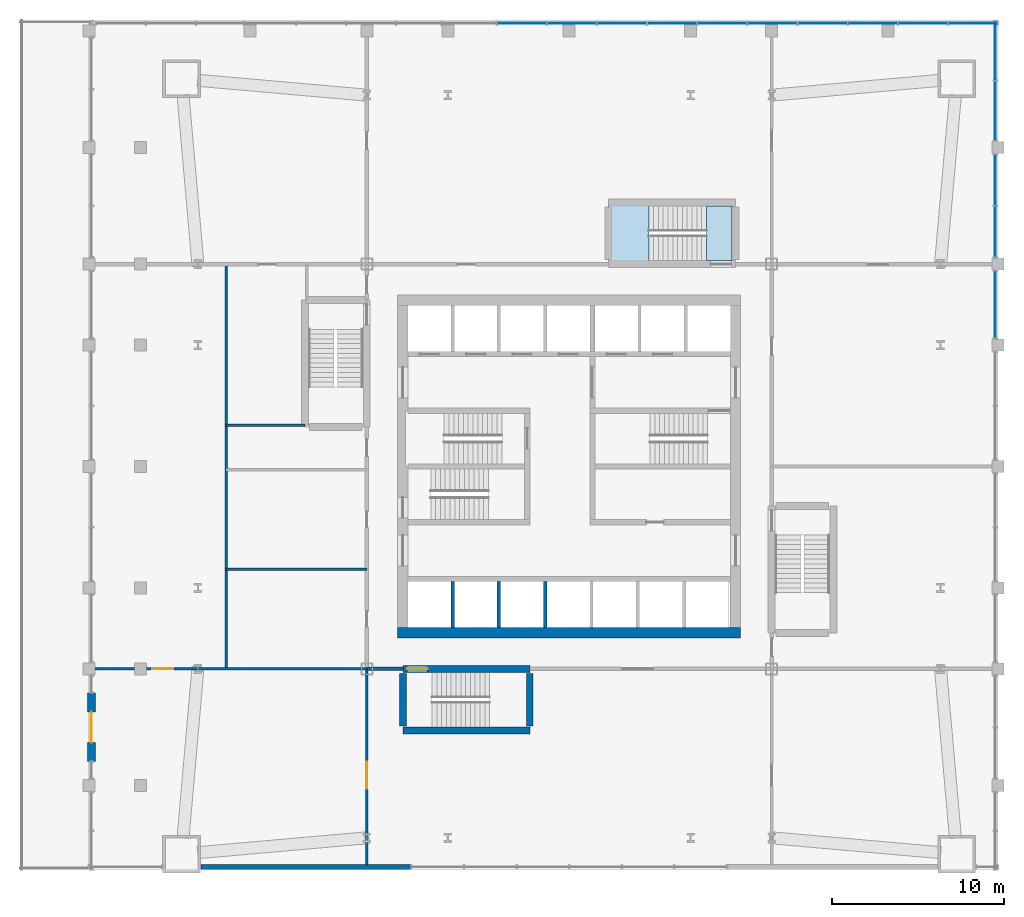
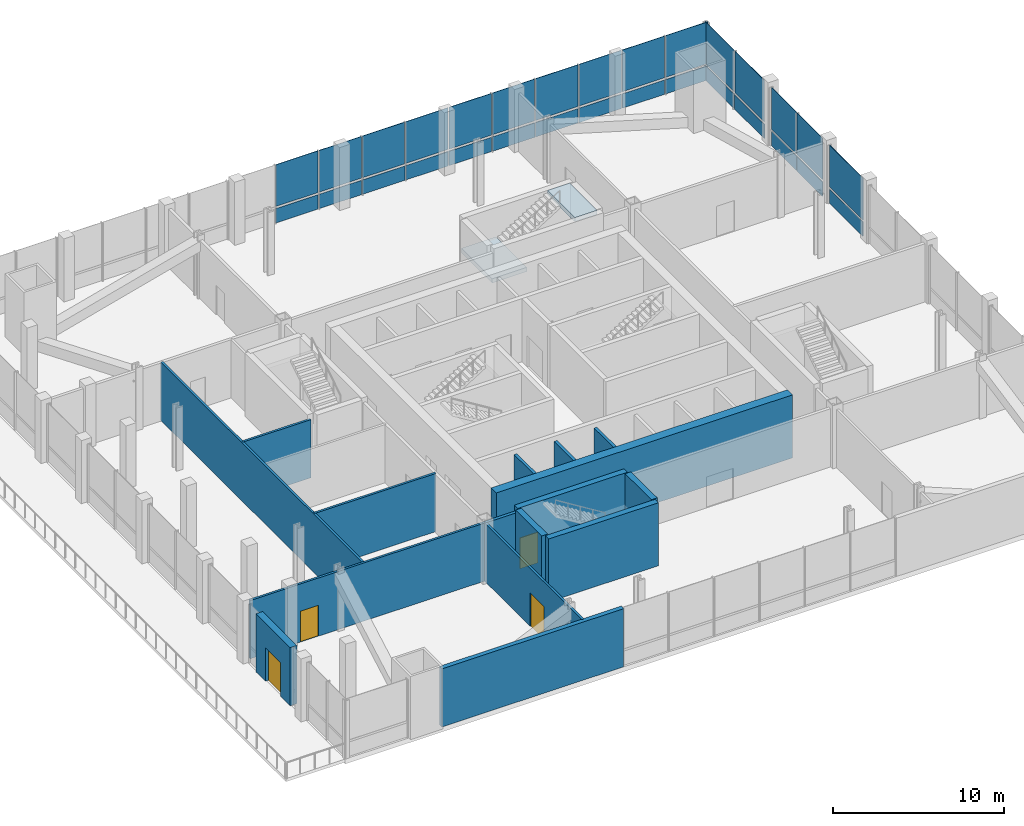
# One storey, part 11 of 15: 30 plates, 16 walls, 4 doors, 2 slabs, 4 openings, 5 elements without a shape of their own.
"""IFC4 building model written with IfcOpenShell, lengths in metres."""

import ifcopenshell
import ifcopenshell.guid

model = None  # the IFC model being written
_history = None  # IfcOwnerHistory: only IFC2X3 demands one
_inside = {}  # id of a spatial element -> (the spatial element, [elements in it])
_under = {}  # id of a project, library or spatial element -> (it, [spatial elements below it])
_declared = {}  # id of a project -> (the project, [libraries it declares])
_typed = {}  # id of a type object -> (the type object, [elements of that type])
_made_of = {}  # id of a material, layer set ... -> (it, [elements and type objects made of it])


def new_model(schema):
    """Start an empty IFC model of exactly this schema.

    Asked for "IFC4X3", IfcOpenShell would pick the latest addendum, in which some entities
    have other attributes; the version numbers below select the first issue.
    IFC2X3 requires an IfcOwnerHistory on every rooted entity: one is made here for all.
    """
    global model, _history
    if schema == "IFC4X3":
        model = ifcopenshell.file(schema_version=(4, 3, 0, 0))
    else:
        model = ifcopenshell.file(schema=schema)
    _inside.clear()
    _under.clear()
    _declared.clear()
    _typed.clear()
    _made_of.clear()
    _history = None
    if model.schema == "IFC2X3":
        org = make("IfcOrganization", Name="unknown")
        user = make(
            "IfcPersonAndOrganization",
            ThePerson=make("IfcPerson", FamilyName="unknown"),
            TheOrganization=org,
        )
        app = make(
            "IfcApplication",
            ApplicationDeveloper=org,
            Version="unknown",
            ApplicationFullName="unknown",
            ApplicationIdentifier="unknown",
        )
        _history = make(
            "IfcOwnerHistory",
            OwningUser=user,
            OwningApplication=app,
            ChangeAction="ADDED",
            CreationDate=0,
        )
    return model


def make(cls, **values):
    """One entity of the class cls with the attributes given. An attribute that is None is left unset."""
    return model.create_entity(
        cls, **{name: value for name, value in values.items() if value is not None}
    )


def rooted(cls, **values):
    """An entity with a GlobalId (a new one), such as an element, a storey or a relation."""
    return make(cls, GlobalId=ifcopenshell.guid.new(), OwnerHistory=_history, **values)


def si_unit(unit_type, name, prefix=None):
    """IfcSIUnit, for example si_unit("LENGTHUNIT", "METRE", prefix="MILLI")."""
    return make("IfcSIUnit", UnitType=unit_type, Prefix=prefix, Name=name)


def assignment(units):
    """IfcUnitAssignment: the units of a project."""
    return None if units is None else make("IfcUnitAssignment", Units=units)


def point(xyz):
    """IfcCartesianPoint."""
    return None if xyz is None else make("IfcCartesianPoint", Coordinates=xyz)


def direction(xyz):
    """IfcDirection."""
    return None if xyz is None else make("IfcDirection", DirectionRatios=xyz)


def frame(location, z_axis=None, x_axis=None):
    """IfcAxis2Placement3D, a coordinate frame: its origin and axes. An axis left out is left unset."""
    return make(
        "IfcAxis2Placement3D",
        Location=point(location),
        Axis=direction(z_axis),
        RefDirection=direction(x_axis),
    )


def frame_2d(location, x_axis=None):
    """IfcAxis2Placement2D, a coordinate frame in the plane: its origin and x axis."""
    return make(
        "IfcAxis2Placement2D", Location=point(location), RefDirection=direction(x_axis)
    )


def origin():
    """The frame at (0, 0, 0) with its axes left unset."""
    return frame((0.0, 0.0, 0.0))


def origin_2d():
    """The frame at (0, 0) in the plane with its x axis left unset."""
    return frame_2d((0.0, 0.0))


def place(relative_to, where):
    """IfcLocalPlacement: puts the frame where relative to a parent placement (None: the world)."""
    return make(
        "IfcLocalPlacement", PlacementRelTo=relative_to, RelativePlacement=where
    )


def context(
    kind, dimensions, precision=None, world=None, true_north=None, identifier=None
):
    """IfcGeometricRepresentationContext, for example the 3D "Model" context."""
    return make(
        "IfcGeometricRepresentationContext",
        ContextIdentifier=identifier,
        ContextType=kind,
        CoordinateSpaceDimension=dimensions,
        Precision=precision,
        WorldCoordinateSystem=world,
        TrueNorth=true_north,
    )


def subcontext(parent, identifier, kind, view, scale=None):
    """IfcGeometricRepresentationSubContext, for example "Body" below "Model"."""
    return make(
        "IfcGeometricRepresentationSubContext",
        ContextIdentifier=identifier,
        ContextType=kind,
        ParentContext=parent,
        TargetScale=scale,
        TargetView=view,
    )


def project(units=None, contexts=None):
    """IfcProject with its units and contexts."""
    return rooted(
        "IfcProject",
        Name="project",
        RepresentationContexts=contexts,
        UnitsInContext=assignment(units),
    )


def spatial(cls, under=None, at=None, **own):
    """A site, building, storey or space (cls), placed at a placement, below another one or the project."""
    s = rooted(cls, ObjectPlacement=at, **own)
    if under is not None:
        _under.setdefault(under.id(), (under, []))[1].append(s)
    return s


def polyline(points):
    """IfcPolyline through the points."""
    return make("IfcPolyline", Points=[point(p) for p in points])


def profile(cls, at=None, kind="AREA", **sizes):
    """A parametric profile (cls). Its sizes go by their IFC names, for example OverallWidth=200.0."""
    return make(cls, ProfileType=kind, Position=at, **sizes)


def rectangle(**sizes):
    """IfcRectangleProfileDef."""
    return profile("IfcRectangleProfileDef", **sizes)


def outline(outer, holes=None, kind="AREA"):
    """IfcArbitraryClosedProfileDef: a profile drawn as a closed curve; with holes, ...WithVoids."""
    if holes is None:
        return make("IfcArbitraryClosedProfileDef", ProfileType=kind, OuterCurve=outer)
    return make(
        "IfcArbitraryProfileDefWithVoids",
        ProfileType=kind,
        OuterCurve=outer,
        InnerCurves=holes,
    )


def extrude(swept, where, along, depth):
    """IfcExtrudedAreaSolid: the profile swept, set in the frame where, extruded along a direction by depth."""
    return make(
        "IfcExtrudedAreaSolid",
        SweptArea=swept,
        Position=where,
        ExtrudedDirection=direction(along),
        Depth=depth,
    )


def shape(context_of_items, identifier, shape_type, items):
    """IfcShapeRepresentation: the items that make up one representation, for example the "Body"."""
    return make(
        "IfcShapeRepresentation",
        ContextOfItems=context_of_items,
        RepresentationIdentifier=identifier,
        RepresentationType=shape_type,
        Items=items,
    )


def material(Name=None, Category=None):
    """IfcMaterial."""
    return make("IfcMaterial", Name=Name, Category=Category)


def layer(
    of_material, thickness, ventilated=None, Name=None, Category=None, Priority=None
):
    """IfcMaterialLayer: one layer of a wall or slab, of a material (None: an air gap)."""
    return make(
        "IfcMaterialLayer",
        Material=of_material,
        LayerThickness=thickness,
        IsVentilated=ventilated,
        Name=Name,
        Category=Category,
        Priority=Priority,
    )


def layer_set(layers, Name=None):
    """IfcMaterialLayerSet."""
    return make("IfcMaterialLayerSet", MaterialLayers=layers, LayerSetName=Name)


def made_of(thing, what):
    """Note that an element or type object is made of a material, layer set ...; save() writes the relation."""
    if what is not None:
        _made_of.setdefault(what.id(), (what, []))[1].append(thing)
    return thing


def type_object(cls, material=None, **own):
    """A type object (cls), such as IfcWallType, which elements share."""
    return made_of(rooted(cls, **own), material)


def element(
    cls,
    number,
    at=None,
    inside=None,
    cuts=None,
    type_object=None,
    material=None,
    context=None,
    identifier="Body",
    shape_type=None,
    held_by="IfcProductDefinitionShape",
    body=None,
    shapes=None,
    **own,
):
    """One element of the class cls, such as IfcWall. Its Tag is "e" and its number.

    at: its placement. inside: the storey or other place that contains it. cuts: it is an
    opening in that element (IfcRelVoidsElement). A single representation is given by context,
    identifier, shape_type and body (its items); several are given by shapes. held_by: the class
    of the entity that holds the representations. save() writes the other relations.
    """
    e = rooted(cls, Tag="e%d" % number, ObjectPlacement=at, **own)
    if body is not None:
        shapes = [shape(context, identifier, shape_type, body)]
    if shapes is not None:
        e.Representation = make(held_by, Representations=shapes)
    if inside is not None:
        _inside.setdefault(inside.id(), (inside, []))[1].append(e)
    if cuts is not None:
        rooted(
            "IfcRelVoidsElement", RelatingBuildingElement=cuts, RelatedOpeningElement=e
        )
    if type_object is not None:
        _typed.setdefault(type_object.id(), (type_object, []))[1].append(e)
    return made_of(e, material)


def fill(opening, filler):
    """IfcRelFillsElement: the door or window that sits in an opening."""
    return rooted(
        "IfcRelFillsElement",
        RelatingOpeningElement=opening,
        RelatedBuildingElement=filler,
    )


def aggregate(whole, parts):
    """IfcRelAggregates: a whole, such as a stair, and the parts it consists of."""
    return rooted("IfcRelAggregates", RelatingObject=whole, RelatedObjects=parts)


def save(model, path):
    """Write the relations noted so far, then the file.

    IfcRelAggregates (storeys below a building ...), IfcRelContainedInSpatialStructure (elements
    in a storey), IfcRelDefinesByType, IfcRelAssociatesMaterial and IfcRelDeclares: one each for
    every whole, place, type object, material and project.
    """
    for whole, parts in _under.values():
        aggregate(whole, parts)
    for where, things in _inside.values():
        rooted(
            "IfcRelContainedInSpatialStructure",
            RelatedElements=things,
            RelatingStructure=where,
        )
    for kind, things in _typed.values():
        rooted("IfcRelDefinesByType", RelatedObjects=things, RelatingType=kind)
    for what, things in _made_of.values():
        rooted("IfcRelAssociatesMaterial", RelatedObjects=things, RelatingMaterial=what)
    for by, libraries in _declared.values():
        rooted("IfcRelDeclares", RelatingContext=by, RelatedDefinitions=libraries)
    model.write(path)


model = new_model("IFC4")

# Units and contexts
model_context = context("Model", 3, precision=1e-05, world=origin(), true_north=direction((0.0, 1.0)))
body_context = subcontext(model_context, "Body", "Model", "MODEL_VIEW")
ifc_project = project(units=[si_unit("LENGTHUNIT", "METRE"), si_unit("AREAUNIT", "SQUARE_METRE"), si_unit("VOLUMEUNIT", "CUBIC_METRE"), si_unit("PLANEANGLEUNIT", "RADIAN"), si_unit("MASSUNIT", "GRAM", prefix="KILO")], contexts=[model_context])

# Site, building, storey
site_placement = place(None, origin())
site = spatial("IfcSite", under=ifc_project, at=site_placement, CompositionType="ELEMENT")
building_placement = place(site_placement, origin())
building = spatial("IfcBuilding", under=site, at=building_placement, Name="Turquesa Mirador Hotel Tower", CompositionType="ELEMENT")
storey_placement = place(building_placement, frame((0.0, 0.0, 16.0)))
storey = spatial("IfcBuildingStorey", under=building, at=storey_placement, Name="L03", CompositionType="ELEMENT", Elevation=16.0)

# Curtain wall, plate
ifc_material_1 = material(Name="Aluminium extrusion", Category="aluminium")
curtain_wall_type = type_object("IfcCurtainWallType", Name="CW-3 PODIUM UPPER CURTAIN WALL", PredefinedType="USERDEFINED", material=ifc_material_1)
curtain_wall_1_placement = place(storey_placement, origin())
curtain_wall_1 = element("IfcCurtainWall", 1, at=curtain_wall_1_placement, inside=storey, type_object=curtain_wall_type, Name="CW-3 PODIUM UPPER CURTAIN WALL L03", ObjectType="CURTAIN WALL", PredefinedType="USERDEFINED")
ifc_material_2 = material(Name="Ceramic-printed spandrel glass on an insulated back pan", Category="glass")
ifc_layer_1 = layer(ifc_material_2, 0.050048828125)
ifc_layer_set_1 = layer_set([ifc_layer_1], Name="CW PANEL SPANDREL CERAMIC")
plate_type_1 = type_object("IfcPlateType", Name="CW PANEL SPANDREL CERAMIC", PredefinedType="CURTAIN_PANEL", material=ifc_layer_set_1)
plate_1_placement = place(storey_placement, frame((79.85009765625, 54.43994140625, 0.0), z_axis=(0.0, 0.0, 1.0), x_axis=(0.0, 1.0, 0.0)))
plate_1 = element("IfcPlate", 2, at=plate_1_placement, type_object=plate_type_1, Name="Panel", PredefinedType="CURTAIN_PANEL", context=body_context, shape_type="SweptSolid", body=[
    extrude(rectangle(XDim=3.885986328125, YDim=0.050048828125, at=origin_2d()), origin(), (0.0, 0.0, 1.0), 1.02490234375),
])

# Curtain wall, plates
curtain_wall_2_placement = place(storey_placement, origin())
curtain_wall_2 = element("IfcCurtainWall", 3, at=curtain_wall_2_placement, inside=storey, type_object=curtain_wall_type, Name="CW-3 PODIUM UPPER CURTAIN WALL L03", ObjectType="CURTAIN WALL", PredefinedType="USERDEFINED")
plate_2_placement = place(storey_placement, frame((79.85009765625, 58.692138671875, 0.0), z_axis=(0.0, 0.0, 1.0), x_axis=(0.0, 1.0, 0.0)))
plate_2 = element("IfcPlate", 4, at=plate_2_placement, type_object=plate_type_1, Name="Panel", PredefinedType="CURTAIN_PANEL", context=body_context, shape_type="SweptSolid", body=[
    extrude(rectangle(XDim=2.950439453125, YDim=0.050048828125, at=origin_2d()), origin(), (0.0, 0.0, 1.0), 1.02490234375),
])
plate_3_placement = place(storey_placement, frame((79.85009765625, 61.707763671875, 0.0), z_axis=(0.0, 0.0, 1.0), x_axis=(0.0, 1.0, 0.0)))
plate_3 = element("IfcPlate", 5, at=plate_3_placement, type_object=plate_type_1, Name="Panel", PredefinedType="CURTAIN_PANEL", context=body_context, shape_type="SweptSolid", body=[
    extrude(rectangle(XDim=2.950439453125, YDim=0.050048828125, at=origin_2d()), origin(), (0.0, 0.0, 1.0), 1.02490234375),
])

curtain_wall_3_placement = place(storey_placement, origin())
curtain_wall_3 = element("IfcCurtainWall", 6, at=curtain_wall_3_placement, inside=storey, type_object=curtain_wall_type, Name="CW-3 PODIUM UPPER CURTAIN WALL L03", ObjectType="CURTAIN WALL", PredefinedType="USERDEFINED")
plate_4_placement = place(storey_placement, frame((79.85009765625, 65.73828125, 0.0), z_axis=(0.0, 0.0, 1.0), x_axis=(0.0, 1.0, 0.0)))
plate_4 = element("IfcPlate", 7, at=plate_4_placement, type_object=plate_type_1, Name="Panel", PredefinedType="CURTAIN_PANEL", context=body_context, shape_type="SweptSolid", body=[
    extrude(rectangle(XDim=3.44287109375, YDim=0.050048828125, at=origin_2d()), origin(), (0.0, 0.0, 1.0), 1.02490234375),
])
plate_5_placement = place(storey_placement, frame((79.85009765625, 69.24609375, 0.0), z_axis=(0.0, 0.0, 1.0), x_axis=(0.0, 1.0, 0.0)))
plate_5 = element("IfcPlate", 8, at=plate_5_placement, type_object=plate_type_1, Name="Panel", PredefinedType="CURTAIN_PANEL", context=body_context, shape_type="SweptSolid", body=[
    extrude(rectangle(XDim=3.44287109375, YDim=0.050048828125, at=origin_2d()), origin(), (0.0, 0.0, 1.0), 1.02490234375),
])

curtain_wall_4_placement = place(storey_placement, origin())
curtain_wall_4 = element("IfcCurtainWall", 9, at=curtain_wall_4_placement, inside=storey, type_object=curtain_wall_type, Name="CW-3 PODIUM UPPER CURTAIN WALL L03", ObjectType="CURTAIN WALL", PredefinedType="USERDEFINED")
plate_6_placement = place(storey_placement, frame((78.53857421875, 70.85009765625, 0.0), z_axis=(0.0, 0.0, 1.0), x_axis=(-1.0, 0.0, 0.0)))
plate_6 = element("IfcPlate", 10, at=plate_6_placement, type_object=plate_type_1, Name="Panel", PredefinedType="CURTAIN_PANEL", context=body_context, shape_type="SweptSolid", body=[
    extrude(rectangle(XDim=2.858154296875, YDim=0.050048828125, at=origin_2d()), origin(), (0.0, 0.0, 1.0), 1.02490234375),
])
plate_7_placement = place(storey_placement, frame((75.615478515625, 70.85009765625, 0.0), z_axis=(0.0, 0.0, 1.0), x_axis=(-1.0, 0.0, 0.0)))
plate_7 = element("IfcPlate", 11, at=plate_7_placement, type_object=plate_type_1, Name="Panel", PredefinedType="CURTAIN_PANEL", context=body_context, shape_type="SweptSolid", body=[
    extrude(rectangle(XDim=2.858154296875, YDim=0.050048828125, at=origin_2d()), origin(), (0.0, 0.0, 1.0), 1.02490234375),
])
plate_8_placement = place(storey_placement, frame((72.6923828125, 70.85009765625, 0.0), z_axis=(0.0, 0.0, 1.0), x_axis=(-1.0, 0.0, 0.0)))
plate_8 = element("IfcPlate", 12, at=plate_8_placement, type_object=plate_type_1, Name="Panel", PredefinedType="CURTAIN_PANEL", context=body_context, shape_type="SweptSolid", body=[
    extrude(rectangle(XDim=2.858154296875, YDim=0.050048828125, at=origin_2d()), origin(), (0.0, 0.0, 1.0), 1.02490234375),
])
plate_9_placement = place(storey_placement, frame((69.769287109375, 70.85009765625, 0.0), z_axis=(0.0, 0.0, 1.0), x_axis=(-1.0, 0.0, 0.0)))
plate_9 = element("IfcPlate", 13, at=plate_9_placement, type_object=plate_type_1, Name="Panel", PredefinedType="CURTAIN_PANEL", context=body_context, shape_type="SweptSolid", body=[
    extrude(rectangle(XDim=2.858154296875, YDim=0.050048828125, at=origin_2d()), origin(), (0.0, 0.0, 1.0), 1.02490234375),
])
plate_10_placement = place(storey_placement, frame((66.84619140625, 70.85009765625, 0.0), z_axis=(0.0, 0.0, 1.0), x_axis=(-1.0, 0.0, 0.0)))
plate_10 = element("IfcPlate", 14, at=plate_10_placement, type_object=plate_type_1, Name="Panel", PredefinedType="CURTAIN_PANEL", context=body_context, shape_type="SweptSolid", body=[
    extrude(rectangle(XDim=2.858154296875, YDim=0.050048828125, at=origin_2d()), origin(), (0.0, 0.0, 1.0), 1.02490234375),
])
plate_11_placement = place(storey_placement, frame((63.924560546875, 70.85009765625, 0.0), z_axis=(0.0, 0.0, 1.0), x_axis=(-1.0, 0.0, 0.0)))
plate_11 = element("IfcPlate", 15, at=plate_11_placement, type_object=plate_type_1, Name="Panel", PredefinedType="CURTAIN_PANEL", context=body_context, shape_type="SweptSolid", body=[
    extrude(rectangle(XDim=2.85498046875, YDim=0.050048828125, at=origin_2d()), origin(), (0.0, 0.0, 1.0), 1.02490234375),
])
plate_12_placement = place(storey_placement, frame((61.00146484375, 70.85009765625, 0.0), z_axis=(0.0, 0.0, 1.0), x_axis=(-1.0, 0.0, 0.0)))
plate_12 = element("IfcPlate", 16, at=plate_12_placement, type_object=plate_type_1, Name="Panel", PredefinedType="CURTAIN_PANEL", context=body_context, shape_type="SweptSolid", body=[
    extrude(rectangle(XDim=2.861083984375, YDim=0.050048828125, at=origin_2d()), origin(), (0.0, 0.0, 1.0), 1.02490234375),
])
plate_13_placement = place(storey_placement, frame((58.076904296875, 70.85009765625, 0.0), z_axis=(0.0, 0.0, 1.0), x_axis=(-1.0, 0.0, 0.0)))
plate_13 = element("IfcPlate", 17, at=plate_13_placement, type_object=plate_type_1, Name="Panel", PredefinedType="CURTAIN_PANEL", context=body_context, shape_type="SweptSolid", body=[
    extrude(rectangle(XDim=2.858154296875, YDim=0.050048828125, at=origin_2d()), origin(), (0.0, 0.0, 1.0), 1.02490234375),
])
plate_14_placement = place(storey_placement, frame((55.15380859375, 70.85009765625, 0.0), z_axis=(0.0, 0.0, 1.0), x_axis=(-1.0, 0.0, 0.0)))
plate_14 = element("IfcPlate", 18, at=plate_14_placement, type_object=plate_type_1, Name="Panel", PredefinedType="CURTAIN_PANEL", context=body_context, shape_type="SweptSolid", body=[
    extrude(rectangle(XDim=2.858154296875, YDim=0.050048828125, at=origin_2d()), origin(), (0.0, 0.0, 1.0), 1.02490234375),
])
plate_15_placement = place(storey_placement, frame((52.230712890625, 70.85009765625, 0.0), z_axis=(0.0, 0.0, 1.0), x_axis=(-1.0, 0.0, 0.0)))
plate_15 = element("IfcPlate", 19, at=plate_15_placement, type_object=plate_type_1, Name="Panel", PredefinedType="CURTAIN_PANEL", context=body_context, shape_type="SweptSolid", body=[
    extrude(rectangle(XDim=2.858154296875, YDim=0.050048828125, at=origin_2d()), origin(), (0.0, 0.0, 1.0), 1.02490234375),
])

# Plate
ifc_material_3 = material(Name="Ceramic-fritted laminated glass", Category="glass")
ifc_layer_2 = layer(ifc_material_3, 0.031982421875)
ifc_layer_set_2 = layer_set([ifc_layer_2], Name="CW PANEL VISION FRITTED")
plate_type_2 = type_object("IfcPlateType", Name="CW PANEL VISION FRITTED", PredefinedType="CURTAIN_PANEL", material=ifc_layer_set_2)
plate_16_placement = place(storey_placement, frame((79.85009765625, 54.43994140625, 1.175048828125), z_axis=(0.0, 0.0, 1.0), x_axis=(0.0, 1.0, 0.0)))
plate_16 = element("IfcPlate", 20, at=plate_16_placement, type_object=plate_type_2, Name="Panel", PredefinedType="CURTAIN_PANEL", context=body_context, shape_type="SweptSolid", body=[
    extrude(rectangle(XDim=3.885986328125, YDim=0.031982421875, at=origin_2d()), origin(), (0.0, 0.0, 1.0), 2.97509765625),
])

aggregate(curtain_wall_1, [plate_1, plate_16])

plate_17_placement = place(storey_placement, frame((79.85009765625, 58.692138671875, 1.175048828125), z_axis=(0.0, 0.0, 1.0), x_axis=(0.0, 1.0, 0.0)))
plate_17 = element("IfcPlate", 21, at=plate_17_placement, type_object=plate_type_2, Name="Panel", PredefinedType="CURTAIN_PANEL", context=body_context, shape_type="SweptSolid", body=[
    extrude(rectangle(XDim=2.950439453125, YDim=0.031982421875, at=origin_2d()), origin(), (0.0, 0.0, 1.0), 2.97509765625),
])

plate_18_placement = place(storey_placement, frame((79.85009765625, 61.707763671875, 1.175048828125), z_axis=(0.0, 0.0, 1.0), x_axis=(0.0, 1.0, 0.0)))
plate_18 = element("IfcPlate", 22, at=plate_18_placement, type_object=plate_type_2, Name="Panel", PredefinedType="CURTAIN_PANEL", context=body_context, shape_type="SweptSolid", body=[
    extrude(rectangle(XDim=2.950439453125, YDim=0.031982421875, at=origin_2d()), origin(), (0.0, 0.0, 1.0), 2.97509765625),
])

aggregate(curtain_wall_2, [plate_2, plate_17, plate_3, plate_18])

plate_19_placement = place(storey_placement, frame((79.85009765625, 65.73828125, 1.175048828125), z_axis=(0.0, 0.0, 1.0), x_axis=(0.0, 1.0, 0.0)))
plate_19 = element("IfcPlate", 23, at=plate_19_placement, type_object=plate_type_2, Name="Panel", PredefinedType="CURTAIN_PANEL", context=body_context, shape_type="SweptSolid", body=[
    extrude(rectangle(XDim=3.44287109375, YDim=0.031982421875, at=origin_2d()), origin(), (0.0, 0.0, 1.0), 2.97509765625),
])

plate_20_placement = place(storey_placement, frame((79.85009765625, 69.24609375, 1.175048828125), z_axis=(0.0, 0.0, 1.0), x_axis=(0.0, 1.0, 0.0)))
plate_20 = element("IfcPlate", 24, at=plate_20_placement, type_object=plate_type_2, Name="Panel", PredefinedType="CURTAIN_PANEL", context=body_context, shape_type="SweptSolid", body=[
    extrude(rectangle(XDim=3.44287109375, YDim=0.031982421875, at=origin_2d()), origin(), (0.0, 0.0, 1.0), 2.97509765625),
])

aggregate(curtain_wall_3, [plate_4, plate_19, plate_5, plate_20])

plate_21_placement = place(storey_placement, frame((78.53857421875, 70.85009765625, 1.175048828125), z_axis=(0.0, 0.0, 1.0), x_axis=(-1.0, 0.0, 0.0)))
plate_21 = element("IfcPlate", 25, at=plate_21_placement, type_object=plate_type_2, Name="Panel", PredefinedType="CURTAIN_PANEL", context=body_context, shape_type="SweptSolid", body=[
    extrude(rectangle(XDim=2.858154296875, YDim=0.031982421875, at=origin_2d()), origin(), (0.0, 0.0, 1.0), 2.97509765625),
])

plate_22_placement = place(storey_placement, frame((75.615478515625, 70.85009765625, 1.175048828125), z_axis=(0.0, 0.0, 1.0), x_axis=(-1.0, 0.0, 0.0)))
plate_22 = element("IfcPlate", 26, at=plate_22_placement, type_object=plate_type_2, Name="Panel", PredefinedType="CURTAIN_PANEL", context=body_context, shape_type="SweptSolid", body=[
    extrude(rectangle(XDim=2.858154296875, YDim=0.031982421875, at=origin_2d()), origin(), (0.0, 0.0, 1.0), 2.97509765625),
])

plate_23_placement = place(storey_placement, frame((72.6923828125, 70.85009765625, 1.175048828125), z_axis=(0.0, 0.0, 1.0), x_axis=(-1.0, 0.0, 0.0)))
plate_23 = element("IfcPlate", 27, at=plate_23_placement, type_object=plate_type_2, Name="Panel", PredefinedType="CURTAIN_PANEL", context=body_context, shape_type="SweptSolid", body=[
    extrude(rectangle(XDim=2.858154296875, YDim=0.031982421875, at=origin_2d()), origin(), (0.0, 0.0, 1.0), 2.97509765625),
])

plate_24_placement = place(storey_placement, frame((69.769287109375, 70.85009765625, 1.175048828125), z_axis=(0.0, 0.0, 1.0), x_axis=(-1.0, 0.0, 0.0)))
plate_24 = element("IfcPlate", 28, at=plate_24_placement, type_object=plate_type_2, Name="Panel", PredefinedType="CURTAIN_PANEL", context=body_context, shape_type="SweptSolid", body=[
    extrude(rectangle(XDim=2.858154296875, YDim=0.031982421875, at=origin_2d()), origin(), (0.0, 0.0, 1.0), 2.97509765625),
])

plate_25_placement = place(storey_placement, frame((66.84619140625, 70.85009765625, 1.175048828125), z_axis=(0.0, 0.0, 1.0), x_axis=(-1.0, 0.0, 0.0)))
plate_25 = element("IfcPlate", 29, at=plate_25_placement, type_object=plate_type_2, Name="Panel", PredefinedType="CURTAIN_PANEL", context=body_context, shape_type="SweptSolid", body=[
    extrude(rectangle(XDim=2.858154296875, YDim=0.031982421875, at=origin_2d()), origin(), (0.0, 0.0, 1.0), 2.97509765625),
])

plate_26_placement = place(storey_placement, frame((63.924560546875, 70.85009765625, 1.175048828125), z_axis=(0.0, 0.0, 1.0), x_axis=(-1.0, 0.0, 0.0)))
plate_26 = element("IfcPlate", 30, at=plate_26_placement, type_object=plate_type_2, Name="Panel", PredefinedType="CURTAIN_PANEL", context=body_context, shape_type="SweptSolid", body=[
    extrude(rectangle(XDim=2.85498046875, YDim=0.031982421875, at=origin_2d()), origin(), (0.0, 0.0, 1.0), 2.97509765625),
])

plate_27_placement = place(storey_placement, frame((61.00146484375, 70.85009765625, 1.175048828125), z_axis=(0.0, 0.0, 1.0), x_axis=(-1.0, 0.0, 0.0)))
plate_27 = element("IfcPlate", 31, at=plate_27_placement, type_object=plate_type_2, Name="Panel", PredefinedType="CURTAIN_PANEL", context=body_context, shape_type="SweptSolid", body=[
    extrude(rectangle(XDim=2.861083984375, YDim=0.031982421875, at=origin_2d()), origin(), (0.0, 0.0, 1.0), 2.97509765625),
])

plate_28_placement = place(storey_placement, frame((58.076904296875, 70.85009765625, 1.175048828125), z_axis=(0.0, 0.0, 1.0), x_axis=(-1.0, 0.0, 0.0)))
plate_28 = element("IfcPlate", 32, at=plate_28_placement, type_object=plate_type_2, Name="Panel", PredefinedType="CURTAIN_PANEL", context=body_context, shape_type="SweptSolid", body=[
    extrude(rectangle(XDim=2.858154296875, YDim=0.031982421875, at=origin_2d()), origin(), (0.0, 0.0, 1.0), 2.97509765625),
])

plate_29_placement = place(storey_placement, frame((55.15380859375, 70.85009765625, 1.175048828125), z_axis=(0.0, 0.0, 1.0), x_axis=(-1.0, 0.0, 0.0)))
plate_29 = element("IfcPlate", 33, at=plate_29_placement, type_object=plate_type_2, Name="Panel", PredefinedType="CURTAIN_PANEL", context=body_context, shape_type="SweptSolid", body=[
    extrude(rectangle(XDim=2.858154296875, YDim=0.031982421875, at=origin_2d()), origin(), (0.0, 0.0, 1.0), 2.97509765625),
])

plate_30_placement = place(storey_placement, frame((52.230712890625, 70.85009765625, 1.175048828125), z_axis=(0.0, 0.0, 1.0), x_axis=(-1.0, 0.0, 0.0)))
plate_30 = element("IfcPlate", 34, at=plate_30_placement, type_object=plate_type_2, Name="Panel", PredefinedType="CURTAIN_PANEL", context=body_context, shape_type="SweptSolid", body=[
    extrude(rectangle(XDim=2.858154296875, YDim=0.031982421875, at=origin_2d()), origin(), (0.0, 0.0, 1.0), 2.97509765625),
])

aggregate(curtain_wall_4, [plate_6, plate_21, plate_7, plate_22, plate_8, plate_23, plate_9, plate_24, plate_10, plate_25, plate_11, plate_26, plate_12, plate_27, plate_13, plate_28, plate_14, plate_29, plate_15, plate_30])

# Stair, slabs
ifc_material_4 = material(Name="Concrete C35/45", Category="concrete")
stair_type = type_object("IfcStairType", Name="ESCAPE STAIR PODIUM", PredefinedType="HALF_TURN_STAIR", material=ifc_material_4)
stair_placement = place(storey_placement, origin())
stair = element("IfcStair", 35, at=stair_placement, inside=storey, type_object=stair_type, Name="Stair PS1 L03 to L04", PredefinedType="HALF_TURN_STAIR")
ifc_material_5 = material(Name="Concrete C35/45", Category="concrete")
ifc_layer_3 = layer(ifc_material_5, 0.300048828125)
ifc_layer_set_3 = layer_set([ifc_layer_3], Name="STAIR LANDING 300")
slab_type = type_object("IfcSlabType", Name="STAIR LANDING 300", PredefinedType="LANDING", material=ifc_layer_set_3)
slab_1_placement = place(storey_placement, frame((0.0, 0.0, 1.949951171875)))
slab_1 = element("IfcSlab", 36, at=slab_1_placement, type_object=slab_type, Name="PS1 landing 1", PredefinedType="LANDING", context=body_context, shape_type="SweptSolid", body=[
    extrude(outline(polyline([(57.300048828125, 56.800048828125), (59.639892578125, 56.800048828125), (59.639892578125, 60.39990234375), (57.300048828125, 60.39990234375), (57.300048828125, 56.800048828125)])), origin(), (0.0, 0.0, 1.0), 0.300048828125),
])
slab_2_placement = place(storey_placement, frame((0.0, 0.0, 4.199951171875)))
slab_2 = element("IfcSlab", 37, at=slab_2_placement, type_object=slab_type, Name="PS1 landing 2", PredefinedType="LANDING", context=body_context, shape_type="SweptSolid", body=[
    extrude(outline(polyline([(63.0, 57.0), (64.5, 57.0), (64.5, 60.199951171875), (63.0, 60.199951171875), (63.0, 57.0)])), origin(), (0.0, 0.0, 1.0), 0.300048828125),
])
aggregate(stair, [slab_1, slab_2])

# Walls
ifc_material_6 = material(Name="Concrete C50/60", Category="concrete")
ifc_layer_4 = layer(ifc_material_6, 0.60009765625)
ifc_layer_set_4 = layer_set([ifc_layer_4], Name="CORE WALL 600")
wall_type_1 = type_object("IfcWallType", Name="CORE WALL 600", PredefinedType="SHEAR", material=ifc_layer_set_4)
wall_1_placement = place(storey_placement, frame((45.0, 35.300048828125, 0.0), z_axis=(0.0, 0.0, 1.0), x_axis=(1.0, 0.0, 0.0)))
element("IfcWall", 38, at=wall_1_placement, inside=storey, type_object=wall_type_1, Name="Core wall S", PredefinedType="SHEAR", context=body_context, shape_type="SweptSolid", body=[
    extrude(rectangle(XDim=20.0, YDim=0.60009765625, at=frame_2d((10.0, 0.0))), origin(), (0.0, 0.0, 1.0), 4.5),
])
ifc_material_7 = material(Name="Fire-rated gypsum board on steel studs", Category="steel")
ifc_layer_5 = layer(ifc_material_7, 0.199951171875)
ifc_layer_set_5 = layer_set([ifc_layer_5], Name="CORRIDOR WALL 200")
wall_type_2 = type_object("IfcWallType", Name="CORRIDOR WALL 200", PredefinedType="PARTITIONING", material=ifc_layer_set_5)
wall_2_placement = place(storey_placement, frame((43.199951171875, 33.199951171875, 0.0), z_axis=(0.0, 0.0, 1.0), x_axis=(1.0, 0.0, 0.0)))
element("IfcWall", 39, at=wall_2_placement, inside=storey, type_object=wall_type_2, Name="Partition L03 002", PredefinedType="PARTITIONING", context=body_context, shape_type="SweptSolid", body=[
    extrude(rectangle(XDim=2.10009765625, YDim=0.199951171875, at=frame_2d((1.050048828125, 0.0))), origin(), (0.0, 0.0, 1.0), 4.14990234375),
])
ifc_material_8 = material(Name="Limestone cladding on concrete block", Category="masonry")
ifc_layer_6 = layer(ifc_material_8, 0.300048828125)
ifc_layer_set_6 = layer_set([ifc_layer_6], Name="FACADE WALL 300 STONE PIER")
wall_type_3 = type_object("IfcWallType", Name="FACADE WALL 300 STONE PIER", PredefinedType="SOLIDWALL", material=ifc_layer_set_6)
wall_3_placement = place(storey_placement, frame((33.534423828125, 21.64990234375, 0.0), z_axis=(0.0, 0.0, 1.0), x_axis=(1.0, 0.0, 0.0)))
element("IfcWall", 40, at=wall_3_placement, inside=storey, type_object=wall_type_3, Name="Facade wall L03 bay CWP-L03-S0a 00", PredefinedType="SOLIDWALL", context=body_context, shape_type="SweptSolid", body=[
    extrude(rectangle(XDim=12.26611328125, YDim=0.300048828125, at=frame_2d((6.133056640625, 0.0))), origin(), (0.0, 0.0, 1.0), 4.14990234375),
])
ifc_material_9 = material(Name="Fire-rated gypsum shaft wall on steel studs", Category="steel")
ifc_layer_7 = layer(ifc_material_9, 0.199951171875)
ifc_layer_set_7 = layer_set([ifc_layer_7], Name="LIFT SHAFT DIVIDER 200")
wall_type_4 = type_object("IfcWallType", Name="LIFT SHAFT DIVIDER 200", PredefinedType="PARTITIONING", material=ifc_layer_set_7)
for number, where, z_axis, x_axis, name in (
    (41, (48.199951171875, 35.60009765625, 0.0), (0.0, 0.0, 1.0), (0.0, 1.0, 0.0), "Lift shaft divider"),
    (42, (50.89990234375, 35.60009765625, 0.0), (0.0, 0.0, 1.0), (0.0, 1.0, 0.0), "Lift shaft divider"),
    (43, (53.60009765625, 35.60009765625, 0.0), (0.0, 0.0, 1.0), (0.0, 1.0, 0.0), "Lift shaft divider"),
):
    element("IfcWall", number, at=place(storey_placement, frame(where, z_axis=z_axis, x_axis=x_axis)), inside=storey, type_object=wall_type_4, Name=name, PredefinedType="PARTITIONING", context=body_context, shape_type="SweptSolid", body=[
        extrude(rectangle(XDim=2.699951171875, YDim=0.199951171875, at=frame_2d((1.35009765625, 0.0))), origin(), (0.0, 0.0, 1.0), 4.14990234375),
    ])

# Wall, opening, door
ifc_material_10 = material(Name="Gypsum board on steel studs", Category="steel")
ifc_layer_8 = layer(ifc_material_10, 0.14990234375)
ifc_layer_set_8 = layer_set([ifc_layer_8], Name="PARTITION 150")
wall_type_5 = type_object("IfcWallType", Name="PARTITION 150", PredefinedType="PARTITIONING", material=ifc_layer_set_8)
wall_4_placement = place(storey_placement, frame((27.300048828125, 33.199951171875, 0.0), z_axis=(0.0, 0.0, 1.0), x_axis=(1.0, 0.0, 0.0)))
wall_4 = element("IfcWall", 44, at=wall_4_placement, inside=storey, type_object=wall_type_5, Name="Partition L03 005", PredefinedType="PARTITIONING", context=body_context, shape_type="SweptSolid", body=[
    extrude(rectangle(XDim=15.89990234375, YDim=0.14990234375, at=frame_2d((7.949951171875, 0.0))), origin(), (0.0, 0.0, 1.0), 4.14990234375),
])
opening_1_placement = place(wall_4_placement, frame((3.39990234375, 0.0, 0.0)))
opening_1 = element("IfcOpeningElement", 45, at=opening_1_placement, cuts=wall_4, Name="Opening D09", PredefinedType="OPENING", context=body_context, shape_type="SweptSolid", body=[
    extrude(rectangle(XDim=1.199951171875, YDim=2.199951171875, at=frame_2d((0.60009765625, 1.10009765625))), frame((0.0, 0.0849609375, 0.0), z_axis=(0.0, -1.0, 0.0), x_axis=(1.0, 0.0, 0.0)), (0.0, 0.0, 1.0), 0.169921875),
])
ifc_material_11 = material(Name="Timber door", Category="wood")
door_type_1 = type_object("IfcDoorType", Name="DOOR 1200X2200 OFFICE", OperationType="SINGLE_SWING_LEFT", PredefinedType="DOOR", material=ifc_material_11)
door_1_placement = place(opening_1_placement, origin())
door_1 = element("IfcDoor", 46, at=door_1_placement, inside=storey, type_object=door_type_1, Name="Door L03-08", OperationType="SINGLE_SWING_LEFT", OverallHeight=2.199951171875, OverallWidth=1.199951171875, PredefinedType="DOOR", context=body_context, shape_type="SweptSolid", body=[
    extrude(rectangle(XDim=1.199951171875, YDim=2.199951171875, at=frame_2d((0.60009765625, 1.10009765625))), frame((0.0, 0.02490234375, 0.0), z_axis=(0.0, -1.0, 0.0), x_axis=(1.0, 0.0, 0.0)), (0.0, 0.0, 1.0), 0.050048828125),
])
fill(opening_1, door_1)

# Walls
wall_5_placement = place(storey_placement, frame((35.0, 39.0, 0.0), z_axis=(0.0, 0.0, 1.0), x_axis=(1.0, 0.0, 0.0)))
element("IfcWall", 47, at=wall_5_placement, inside=storey, type_object=wall_type_5, Name="Partition L03 009", PredefinedType="PARTITIONING", context=body_context, shape_type="SweptSolid", body=[
    extrude(rectangle(XDim=8.199951171875, YDim=0.14990234375, at=frame_2d((4.10009765625, 0.0))), origin(), (0.0, 0.0, 1.0), 4.14990234375),
])
wall_6_placement = place(storey_placement, frame((35.0, 47.39990234375, 0.0), z_axis=(0.0, 0.0, 1.0), x_axis=(1.0, 0.0, 0.0)))
element("IfcWall", 48, at=wall_6_placement, inside=storey, type_object=wall_type_5, Name="Partition L03 019", PredefinedType="PARTITIONING", context=body_context, shape_type="SweptSolid", body=[
    extrude(rectangle(XDim=4.60009765625, YDim=0.14990234375, at=frame_2d((2.300048828125, 0.0))), origin(), (0.0, 0.0, 1.0), 4.14990234375),
])

# Wall, opening, door
wall_7_placement = place(storey_placement, frame((43.199951171875, 21.7548828125, 0.0), z_axis=(0.0, 0.0, 1.0), x_axis=(0.0, 1.0, 0.0)))
wall_7 = element("IfcWall", 49, at=wall_7_placement, inside=storey, type_object=wall_type_5, Name="Partition L03 022", PredefinedType="PARTITIONING", context=body_context, shape_type="SweptSolid", body=[
    extrude(rectangle(XDim=11.445068359375, YDim=0.14990234375, at=frame_2d((5.72265625, 0.0))), origin(), (0.0, 0.0, 1.0), 4.14990234375),
])
opening_2_placement = place(wall_7_placement, frame((4.445068359375, 0.0, 0.0)))
opening_2 = element("IfcOpeningElement", 50, at=opening_2_placement, cuts=wall_7, Name="Opening D08", PredefinedType="OPENING", context=body_context, shape_type="SweptSolid", body=[
    extrude(rectangle(XDim=1.60009765625, YDim=2.39990234375, at=frame_2d((0.800048828125, 1.199951171875))), frame((0.0, 0.0849609375, 0.0), z_axis=(0.0, -1.0, 0.0), x_axis=(1.0, 0.0, 0.0)), (0.0, 0.0, 1.0), 0.169921875),
])
ifc_material_12 = material(Name="Aluminium glazed door pair", Category="aluminium")
door_type_2 = type_object("IfcDoorType", Name="DOOR 1600X2400 GLAZED PAIR", OperationType="DOUBLE_DOOR_SINGLE_SWING", PredefinedType="DOOR", material=ifc_material_12)
door_2_placement = place(opening_2_placement, origin())
door_2 = element("IfcDoor", 51, at=door_2_placement, inside=storey, type_object=door_type_2, Name="Door L03-02", OperationType="DOUBLE_DOOR_SINGLE_SWING", OverallHeight=2.39990234375, OverallWidth=1.60009765625, PredefinedType="DOOR", context=body_context, shape_type="SweptSolid", body=[
    extrude(rectangle(XDim=1.60009765625, YDim=2.39990234375, at=frame_2d((0.800048828125, 1.199951171875))), frame((0.0, 0.02490234375, 0.0), z_axis=(0.0, -1.0, 0.0), x_axis=(1.0, 0.0, 0.0)), (0.0, 0.0, 1.0), 0.050048828125),
])
fill(opening_2, door_2)

# Wall
wall_8_placement = place(storey_placement, frame((35.0, 33.199951171875, 0.0), z_axis=(0.0, 0.0, 1.0), x_axis=(0.0, 1.0, 0.0)))
element("IfcWall", 52, at=wall_8_placement, inside=storey, type_object=wall_type_5, Name="Partition L03 026", PredefinedType="PARTITIONING", context=body_context, shape_type="SweptSolid", body=[
    extrude(rectangle(XDim=23.60009765625, YDim=0.14990234375, at=frame_2d((11.800048828125, 0.0))), origin(), (0.0, 0.0, 1.0), 4.14990234375),
])

# Wall, opening, door
ifc_material_13 = material(Name="Limestone cladding on concrete block", Category="masonry")
ifc_layer_9 = layer(ifc_material_13, 0.449951171875)
ifc_layer_set_9 = layer_set([ifc_layer_9], Name="PORTAL WALL 450 STONE")
wall_type_6 = type_object("IfcWallType", Name="PORTAL WALL 450 STONE", PredefinedType="SOLIDWALL", material=ifc_layer_set_9)
wall_9_placement = place(storey_placement, frame((27.14990234375, 31.800048828125, 0.0), z_axis=(0.0, 0.0, 1.0), x_axis=(0.0, -1.0, 0.0)))
wall_9 = element("IfcWall", 53, at=wall_9_placement, inside=storey, type_object=wall_type_6, Name="Entrance portal L03", PredefinedType="SOLIDWALL", context=body_context, shape_type="SweptSolid", body=[
    extrude(rectangle(XDim=4.0, YDim=0.449951171875, at=frame_2d((2.0, 0.0))), origin(), (0.0, 0.0, 1.0), 4.14990234375),
])
opening_3_placement = place(wall_9_placement, frame((1.10009765625, 0.0, 0.0)))
opening_3 = element("IfcOpeningElement", 54, at=opening_3_placement, cuts=wall_9, Name="Opening D10", PredefinedType="OPENING", context=body_context, shape_type="SweptSolid", body=[
    extrude(rectangle(XDim=1.800048828125, YDim=2.39990234375, at=frame_2d((0.89990234375, 1.199951171875))), frame((0.0, 0.23486328125, 0.0), z_axis=(0.0, -1.0, 0.0), x_axis=(1.0, 0.0, 0.0)), (0.0, 0.0, 1.0), 0.469970703125),
])
ifc_material_14 = material(Name="Aluminium glazed sliding door", Category="aluminium")
door_type_3 = type_object("IfcDoorType", Name="TERRACE DOOR 1800X2400 GLAZED", OperationType="SLIDING_TO_LEFT", PredefinedType="DOOR", material=ifc_material_14)
door_3_placement = place(opening_3_placement, origin())
door_3 = element("IfcDoor", 55, at=door_3_placement, inside=storey, type_object=door_type_3, Name="External door L03 W", OperationType="SLIDING_TO_LEFT", OverallHeight=2.39990234375, OverallWidth=1.800048828125, PredefinedType="DOOR", context=body_context, shape_type="SweptSolid", body=[
    extrude(rectangle(XDim=1.800048828125, YDim=2.39990234375, at=frame_2d((0.89990234375, 1.199951171875))), frame((0.0, 0.02490234375, 0.0), z_axis=(0.0, -1.0, 0.0), x_axis=(1.0, 0.0, 0.0)), (0.0, 0.0, 1.0), 0.050048828125),
])
fill(opening_3, door_3)

ifc_material_15 = material(Name="Concrete C50/60", Category="concrete")
ifc_layer_10 = layer(ifc_material_15, 0.39990234375)
ifc_layer_set_10 = layer_set([ifc_layer_10], Name="STAIR WALL 400")
wall_type_7 = type_object("IfcWallType", Name="STAIR WALL 400", PredefinedType="SHEAR", material=ifc_layer_set_10)
wall_10_placement = place(storey_placement, frame((45.300048828125, 33.199951171875, 0.0), z_axis=(0.0, 0.0, 1.0), x_axis=(1.0, 0.0, 0.0)))
wall_10 = element("IfcWall", 56, at=wall_10_placement, inside=storey, type_object=wall_type_7, Name="Stair wall L03 006", PredefinedType="SHEAR", context=body_context, shape_type="SweptSolid", body=[
    extrude(rectangle(XDim=7.39990234375, YDim=0.39990234375, at=frame_2d((3.699951171875, 0.0))), origin(), (0.0, 0.0, 1.0), 4.5),
])
opening_4_placement = place(wall_10_placement, frame((0.25, 0.0, 0.0)))
opening_4 = element("IfcOpeningElement", 57, at=opening_4_placement, cuts=wall_10, Name="Opening D03", PredefinedType="OPENING", context=body_context, shape_type="SweptSolid", body=[
    extrude(rectangle(XDim=1.199951171875, YDim=2.199951171875, at=frame_2d((0.60009765625, 1.10009765625))), frame((0.0, 0.2099609375, 0.0), z_axis=(0.0, -1.0, 0.0), x_axis=(1.0, 0.0, 0.0)), (0.0, 0.0, 1.0), 0.419921875),
])
ifc_material_16 = material(Name="Steel fire door", Category="steel")
door_type_4 = type_object("IfcDoorType", Name="DOOR 1200X2200 STAIR", OperationType="SINGLE_SWING_LEFT", PredefinedType="DOOR", material=ifc_material_16)
door_4_placement = place(opening_4_placement, origin())
door_4 = element("IfcDoor", 58, at=door_4_placement, inside=storey, type_object=door_type_4, Name="Door L03-PS2", OperationType="SINGLE_SWING_LEFT", OverallHeight=2.199951171875, OverallWidth=1.199951171875, PredefinedType="DOOR", context=body_context, shape_type="SweptSolid", body=[
    extrude(rectangle(XDim=1.199951171875, YDim=2.199951171875, at=frame_2d((0.60009765625, 1.10009765625))), frame((0.0, 0.02490234375, 0.0), z_axis=(0.0, -1.0, 0.0), x_axis=(1.0, 0.0, 0.0)), (0.0, 0.0, 1.0), 0.050048828125),
])
fill(opening_4, door_4)

# Walls
wall_11_placement = place(storey_placement, frame((45.300048828125, 29.60009765625, 0.0), z_axis=(0.0, 0.0, 1.0), x_axis=(1.0, 0.0, 0.0)))
element("IfcWall", 59, at=wall_11_placement, inside=storey, type_object=wall_type_7, Name="Stair wall L03 007", PredefinedType="SHEAR", context=body_context, shape_type="SweptSolid", body=[
    extrude(rectangle(XDim=7.39990234375, YDim=0.39990234375, at=frame_2d((3.699951171875, 0.0))), origin(), (0.0, 0.0, 1.0), 4.5),
])
for number, where, z_axis, x_axis, name in (
    (60, (52.699951171875, 29.8701171875, 0.0), (0.0, 0.0, 1.0), (0.0, 1.0, 0.0), "Stair wall L03 025"),
    (61, (45.300048828125, 29.8701171875, 0.0), (0.0, 0.0, 1.0), (0.0, 1.0, 0.0), "Stair wall L03 027"),
):
    element("IfcWall", number, at=place(storey_placement, frame(where, z_axis=z_axis, x_axis=x_axis)), inside=storey, type_object=wall_type_7, Name=name, PredefinedType="SHEAR", context=body_context, shape_type="SweptSolid", body=[
        extrude(rectangle(XDim=3.059814453125, YDim=0.39990234375, at=frame_2d((1.52978515625, 0.0))), origin(), (0.0, 0.0, 1.0), 4.5),
    ])

save(model, "model.ifc")
